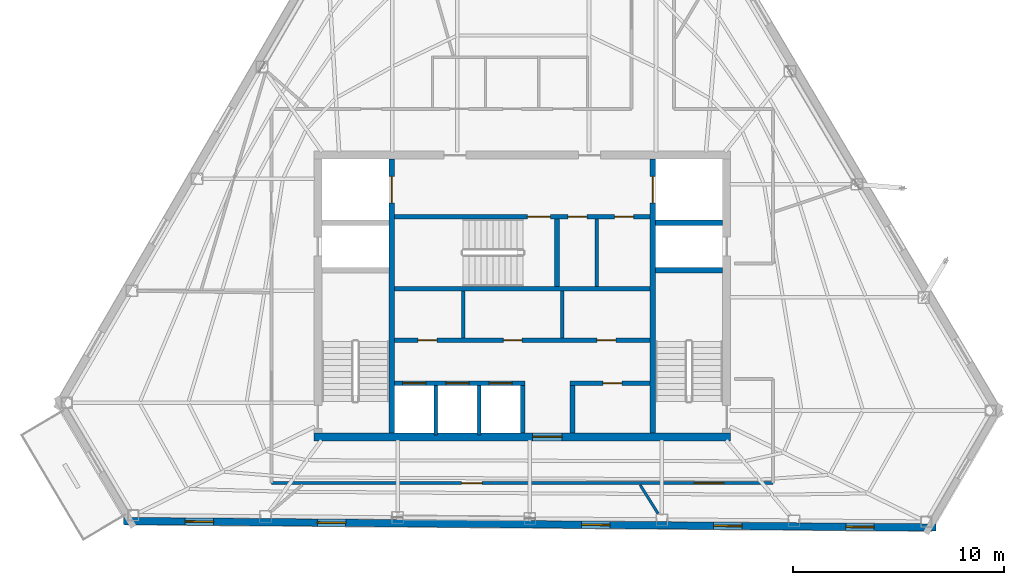
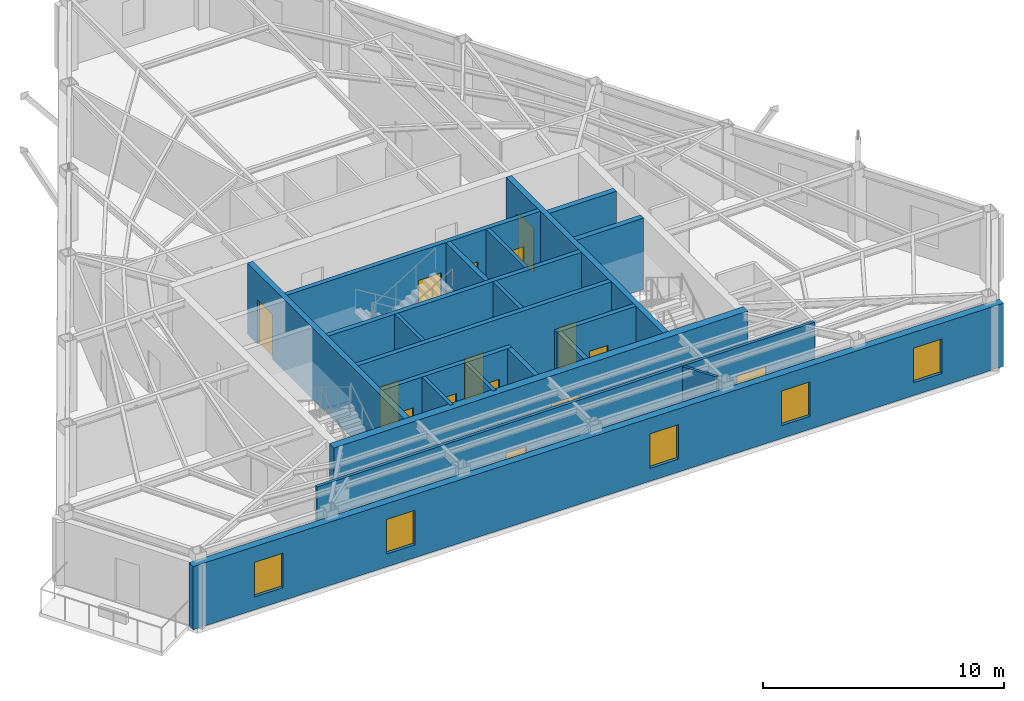
# One storey, part 7 of 10: 21 walls, 15 doors, 5 windows, 20 openings.
"""IFC4 building model written with IfcOpenShell, lengths in metres."""

from ifc_helpers import new_model, si_unit, direction, frame, frame_2d, origin, place, context, subcontext, project, spatial, rectangle, extrude, material, layer, layer_set, type_object, element, fill, save


model = new_model("IFC4")

# Units and contexts
model_context = context("Model", 3, precision=1e-05, world=origin(), true_north=direction((0.0, 1.0)))
body_context = subcontext(model_context, "Body", "Model", "MODEL_VIEW")
ifc_project = project(units=[si_unit("LENGTHUNIT", "METRE"), si_unit("AREAUNIT", "SQUARE_METRE"), si_unit("VOLUMEUNIT", "CUBIC_METRE"), si_unit("PLANEANGLEUNIT", "RADIAN"), si_unit("MASSUNIT", "GRAM", prefix="KILO")], contexts=[model_context])

# Site, building, storey
site_placement = place(None, origin())
site = spatial("IfcSite", under=ifc_project, at=site_placement, CompositionType="ELEMENT")
building_placement = place(site_placement, origin())
building = spatial("IfcBuilding", under=site, at=building_placement, Name="Kavelnor Concourse Tower", CompositionType="ELEMENT")
storey_placement = place(building_placement, frame((0.0, 0.0, 266.449951171875)))
storey = spatial("IfcBuildingStorey", under=building, at=storey_placement, Name="L67", CompositionType="ELEMENT", Elevation=266.449951171875)

# Wall, opening, door
ifc_material_1 = material(Name="Concrete C50/60", Category="concrete")
ifc_layer_1 = layer(ifc_material_1, 0.3798828125, Name="Concrete C50/60")
ifc_layer_set_1 = layer_set([ifc_layer_1], Name="Concrete C50/60")
wall_type_1 = type_object("IfcWallType", Name="WL-CORE-Z4-380", PredefinedType="SOLIDWALL", material=ifc_layer_set_1)
wall_1_placement = place(storey_placement, frame((28.10009765625, 9.409912109375, 0.0), z_axis=(0.0, 0.0, 1.0), x_axis=(1.0, 0.0, 0.0)))
wall_1 = element("IfcWall", 1, at=wall_1_placement, inside=storey, type_object=wall_type_1, Name="L67 Central Core South Shear Wall", PredefinedType="SOLIDWALL", context=body_context, shape_type="SweptSolid", body=[
    extrude(rectangle(XDim=19.7998046875, YDim=0.3798828125, at=frame_2d((9.89990234375, 0.0))), origin(), (0.0, 0.0, 1.0), 3.610107421875),
])
opening_1_placement = place(wall_1_placement, frame((10.39990234375, 0.0, 0.0)))
opening_1 = element("IfcOpeningElement", 2, at=opening_1_placement, cuts=wall_1, Name="Opening SD-140", PredefinedType="OPENING", context=body_context, shape_type="SweptSolid", body=[
    extrude(rectangle(XDim=1.39990234375, YDim=2.199951171875, at=frame_2d((0.699951171875, 1.10009765625))), frame((0.0, 0.199951171875, 0.0), z_axis=(0.0, -1.0, 0.0), x_axis=(1.0, 0.0, 0.0)), (0.0, 0.0, 1.0), 0.39990234375),
])
ifc_material_2 = material(Name="Solid-core hardwood timber", Category="wood")
door_type_1 = type_object("IfcDoorType", Name="DR-SUITE-ENTRY-1400", OperationType="NOTDEFINED", PredefinedType="DOOR", material=ifc_material_2)
door_1_placement = place(opening_1_placement, origin())
door_1 = element("IfcDoor", 3, at=door_1_placement, inside=storey, type_object=door_type_1, Name="L67 Passenger Lift Lobby Entry Door", OperationType="SINGLE_SWING_RIGHT", OverallHeight=2.199951171875, OverallWidth=1.39990234375, PredefinedType="DOOR", context=body_context, shape_type="SweptSolid", body=[
    extrude(rectangle(XDim=1.39990234375, YDim=2.199951171875, at=frame_2d((0.699951171875, 1.10009765625))), frame((0.0, 0.02490234375, 0.0), z_axis=(0.0, -1.0, 0.0), x_axis=(1.0, 0.0, 0.0)), (0.0, 0.0, 1.0), 0.050048828125),
])
fill(opening_1, door_1)

# Wall, openings, windows
ifc_material_3 = material(Name="Red-ochre clay face brick masonry", Category="masonry")
ifc_layer_2 = layer(ifc_material_3, 0.35009765625, Name="Red-ochre clay face brick masonry")
ifc_layer_set_2 = layer_set([ifc_layer_2], Name="Red-ochre clay face brick masonry")
wall_type_2 = type_object("IfcWallType", Name="WL-EXT-RED-BRICK-PIER-350", PredefinedType="STANDARD", material=ifc_layer_set_2)
wall_2_placement = place(storey_placement, frame((57.657470703125, 5.1025390625, 0.0), z_axis=(0.0, 0.0, 1.0), x_axis=(-0.999968086085, 0.007989168371, 0.0)))
wall_2 = element("IfcWall", 4, at=wall_2_placement, inside=storey, type_object=wall_type_2, Name="L67 Exterior Brick Facade Wall E3", PredefinedType="STANDARD", context=body_context, shape_type="SweptSolid", body=[
    extrude(rectangle(XDim=38.595947265625, YDim=0.35009765625, at=frame_2d((19.2978515625, 0.0))), origin(), (0.0, 0.0, 1.0), 3.196044921875),
])
opening_2_placement = place(wall_2_placement, frame((34.312744140625, 0.0, 0.64990234375)))
opening_2 = element("IfcOpeningElement", 5, at=opening_2_placement, cuts=wall_2, Name="Opening W-04", PredefinedType="OPENING", context=body_context, shape_type="SweptSolid", body=[
    extrude(rectangle(XDim=1.35009765625, YDim=1.75, at=frame_2d((0.675048828125, 0.875))), frame((0.0, 0.18505859375, 0.0), z_axis=(0.0, -1.0, 0.0), x_axis=(1.0, 0.0, 0.0)), (0.0, 0.0, 1.0), 0.3701171875),
])
opening_3_placement = place(wall_2_placement, frame((28.038330078125, 0.0, 0.64990234375)))
opening_3 = element("IfcOpeningElement", 6, at=opening_3_placement, cuts=wall_2, Name="Opening W-04", PredefinedType="OPENING", context=body_context, shape_type="SweptSolid", body=[
    extrude(rectangle(XDim=1.35009765625, YDim=1.75, at=frame_2d((0.675048828125, 0.875))), frame((0.0, 0.18505859375, 0.0), z_axis=(0.0, -1.0, 0.0), x_axis=(1.0, 0.0, 0.0)), (0.0, 0.0, 1.0), 0.3701171875),
])
opening_4_placement = place(wall_2_placement, frame((15.489501953125, 0.0, 0.64990234375)))
opening_4 = element("IfcOpeningElement", 7, at=opening_4_placement, cuts=wall_2, Name="Opening W-04", PredefinedType="OPENING", context=body_context, shape_type="SweptSolid", body=[
    extrude(rectangle(XDim=1.35009765625, YDim=1.75, at=frame_2d((0.675048828125, 0.875))), frame((0.0, 0.18505859375, 0.0), z_axis=(0.0, -1.0, 0.0), x_axis=(1.0, 0.0, 0.0)), (0.0, 0.0, 1.0), 0.3701171875),
])
opening_5_placement = place(wall_2_placement, frame((9.21533203125, 0.0, 0.64990234375)))
opening_5 = element("IfcOpeningElement", 8, at=opening_5_placement, cuts=wall_2, Name="Opening W-04", PredefinedType="OPENING", context=body_context, shape_type="SweptSolid", body=[
    extrude(rectangle(XDim=1.35009765625, YDim=1.75, at=frame_2d((0.675048828125, 0.875))), frame((0.0, 0.18505859375, 0.0), z_axis=(0.0, -1.0, 0.0), x_axis=(1.0, 0.0, 0.0)), (0.0, 0.0, 1.0), 0.3701171875),
])
opening_6_placement = place(wall_2_placement, frame((2.94091796875, 0.0, 0.64990234375)))
opening_6 = element("IfcOpeningElement", 9, at=opening_6_placement, cuts=wall_2, Name="Opening W-04", PredefinedType="OPENING", context=body_context, shape_type="SweptSolid", body=[
    extrude(rectangle(XDim=1.35009765625, YDim=1.75, at=frame_2d((0.675048828125, 0.875))), frame((0.0, 0.18505859375, 0.0), z_axis=(0.0, -1.0, 0.0), x_axis=(1.0, 0.0, 0.0)), (0.0, 0.0, 1.0), 0.3701171875),
])
ifc_material_4 = material(Name="Double low-E argon insulated glazing", Category="glass")
window_type = type_object("IfcWindowType", Name="WIN-PIER-Z4-1350", PartitioningType="SINGLE_PANEL", PredefinedType="WINDOW", material=ifc_material_4)
window_1_placement = place(opening_2_placement, origin())
window_1 = element("IfcWindow", 10, at=window_1_placement, inside=storey, type_object=window_type, Name="L67 Deep-Set Brick Pier Window F1-B0", OverallHeight=1.75, OverallWidth=1.35009765625, PartitioningType="SINGLE_PANEL", PredefinedType="WINDOW", context=body_context, shape_type="SweptSolid", body=[
    extrude(rectangle(XDim=1.35009765625, YDim=1.75, at=frame_2d((0.675048828125, 0.875))), frame((0.0, 0.030029296875, 0.0), z_axis=(0.0, -1.0, 0.0), x_axis=(1.0, 0.0, 0.0)), (0.0, 0.0, 1.0), 0.06005859375),
])
fill(opening_2, window_1)
window_2_placement = place(opening_3_placement, origin())
window_2 = element("IfcWindow", 11, at=window_2_placement, inside=storey, type_object=window_type, Name="L67 Deep-Set Brick Pier Window F1-B1", OverallHeight=1.75, OverallWidth=1.35009765625, PartitioningType="SINGLE_PANEL", PredefinedType="WINDOW", context=body_context, shape_type="SweptSolid", body=[
    extrude(rectangle(XDim=1.35009765625, YDim=1.75, at=frame_2d((0.675048828125, 0.875))), frame((0.0, 0.030029296875, 0.0), z_axis=(0.0, -1.0, 0.0), x_axis=(1.0, 0.0, 0.0)), (0.0, 0.0, 1.0), 0.06005859375),
])
fill(opening_3, window_2)
window_3_placement = place(opening_4_placement, origin())
window_3 = element("IfcWindow", 12, at=window_3_placement, inside=storey, type_object=window_type, Name="L67 Deep-Set Brick Pier Window F1-B3", OverallHeight=1.75, OverallWidth=1.35009765625, PartitioningType="SINGLE_PANEL", PredefinedType="WINDOW", context=body_context, shape_type="SweptSolid", body=[
    extrude(rectangle(XDim=1.35009765625, YDim=1.75, at=frame_2d((0.675048828125, 0.875))), frame((0.0, 0.030029296875, 0.0), z_axis=(0.0, -1.0, 0.0), x_axis=(1.0, 0.0, 0.0)), (0.0, 0.0, 1.0), 0.06005859375),
])
fill(opening_4, window_3)
window_4_placement = place(opening_5_placement, origin())
window_4 = element("IfcWindow", 13, at=window_4_placement, inside=storey, type_object=window_type, Name="L67 Deep-Set Brick Pier Window F1-B4", OverallHeight=1.75, OverallWidth=1.35009765625, PartitioningType="SINGLE_PANEL", PredefinedType="WINDOW", context=body_context, shape_type="SweptSolid", body=[
    extrude(rectangle(XDim=1.35009765625, YDim=1.75, at=frame_2d((0.675048828125, 0.875))), frame((0.0, 0.030029296875, 0.0), z_axis=(0.0, -1.0, 0.0), x_axis=(1.0, 0.0, 0.0)), (0.0, 0.0, 1.0), 0.06005859375),
])
fill(opening_5, window_4)
window_5_placement = place(opening_6_placement, origin())
window_5 = element("IfcWindow", 14, at=window_5_placement, inside=storey, type_object=window_type, Name="L67 Deep-Set Brick Pier Window F1-B5", OverallHeight=1.75, OverallWidth=1.35009765625, PartitioningType="SINGLE_PANEL", PredefinedType="WINDOW", context=body_context, shape_type="SweptSolid", body=[
    extrude(rectangle(XDim=1.35009765625, YDim=1.75, at=frame_2d((0.675048828125, 0.875))), frame((0.0, 0.030029296875, 0.0), z_axis=(0.0, -1.0, 0.0), x_axis=(1.0, 0.0, 0.0)), (0.0, 0.0, 1.0), 0.06005859375),
])
fill(opening_6, window_5)

# Wall, openings, doors
ifc_material_5 = material(Name="Gypsum plasterboard on light-gauge steel studs", Category="steel")
ifc_layer_3 = layer(ifc_material_5, 0.14501953125, Name="Gypsum plasterboard on light-gauge steel studs")
ifc_layer_set_3 = layer_set([ifc_layer_3], Name="Gypsum plasterboard on light-gauge steel studs")
wall_type_3 = type_object("IfcWallType", Name="WL-INT-CORR-145", PredefinedType="PARTITIONING", material=ifc_layer_set_3)
wall_3_placement = place(storey_placement, frame((49.909912109375, 7.2099609375, 0.0), z_axis=(0.0, 0.0, 1.0), x_axis=(-1.0, 0.0, 0.0)))
wall_3 = element("IfcWall", 15, at=wall_3_placement, inside=storey, type_object=wall_type_3, Name="L67 Corridor Wall WL-L67-CR-09", PredefinedType="PARTITIONING", context=body_context, shape_type="SweptSolid", body=[
    extrude(rectangle(XDim=23.81982421875, YDim=0.14501953125, at=frame_2d((11.909912109375, 0.0))), origin(), (0.0, 0.0, 1.0), 3.610107421875),
])
opening_7_placement = place(wall_3_placement, frame((13.810302734375, 0.0, 0.0)))
opening_7 = element("IfcOpeningElement", 16, at=opening_7_placement, cuts=wall_3, Name="Opening OD-098", PredefinedType="OPENING", context=body_context, shape_type="SweptSolid", body=[
    extrude(rectangle(XDim=0.97998046875, YDim=2.14990234375, at=frame_2d((0.489990234375, 1.074951171875))), frame((0.0, 0.08251953125, 0.0), z_axis=(0.0, -1.0, 0.0), x_axis=(1.0, 0.0, 0.0)), (0.0, 0.0, 1.0), 0.1650390625),
])
opening_8_placement = place(wall_3_placement, frame((2.3369140625, 0.0, 0.0)))
opening_8 = element("IfcOpeningElement", 17, at=opening_8_placement, cuts=wall_3, Name="Opening SD-140", PredefinedType="OPENING", context=body_context, shape_type="SweptSolid", body=[
    extrude(rectangle(XDim=1.39990234375, YDim=2.199951171875, at=frame_2d((0.699951171875, 1.10009765625))), frame((0.0, 0.08251953125, 0.0), z_axis=(0.0, -1.0, 0.0), x_axis=(1.0, 0.0, 0.0)), (0.0, 0.0, 1.0), 0.1650390625),
])
door_type_2 = type_object("IfcDoorType", Name="DR-OFFICE-980", OperationType="NOTDEFINED", PredefinedType="DOOR", material=ifc_material_2)
door_2_placement = place(opening_7_placement, origin())
door_2 = element("IfcDoor", 18, at=door_2_placement, inside=storey, type_object=door_type_2, Name="L67 Workplace Open Office 07 Door", OperationType="SINGLE_SWING_LEFT", OverallHeight=2.14990234375, OverallWidth=0.97998046875, PredefinedType="DOOR", context=body_context, shape_type="SweptSolid", body=[
    extrude(rectangle(XDim=0.97998046875, YDim=2.14990234375, at=frame_2d((0.489990234375, 1.074951171875))), frame((0.0, 0.02490234375, 0.0), z_axis=(0.0, -1.0, 0.0), x_axis=(1.0, 0.0, 0.0)), (0.0, 0.0, 1.0), 0.050048828125),
])
fill(opening_7, door_2)
door_3_placement = place(opening_8_placement, origin())
door_3 = element("IfcDoor", 19, at=door_3_placement, inside=storey, type_object=door_type_1, Name="L67 Building Staff Breakroom 08 Door", OperationType="SINGLE_SWING_RIGHT", OverallHeight=2.199951171875, OverallWidth=1.39990234375, PredefinedType="DOOR", context=body_context, shape_type="SweptSolid", body=[
    extrude(rectangle(XDim=1.39990234375, YDim=2.199951171875, at=frame_2d((0.699951171875, 1.10009765625))), frame((0.0, 0.02490234375, 0.0), z_axis=(0.0, -1.0, 0.0), x_axis=(1.0, 0.0, 0.0)), (0.0, 0.0, 1.0), 0.050048828125),
])
fill(opening_8, door_3)

# Walls
ifc_layer_4 = layer(ifc_material_5, 0.1650390625, Name="Gypsum plasterboard on light-gauge steel studs")
ifc_layer_set_4 = layer_set([ifc_layer_4], Name="Gypsum plasterboard on light-gauge steel studs")
wall_type_4 = type_object("IfcWallType", Name="WL-INT-FIRE-165", PredefinedType="PARTITIONING", material=ifc_layer_set_4)
for number, where, z_axis, x_axis, name in (
    (20, (33.89990234375, 9.489990234375, 0.0), (0.0, 0.0, 1.0), (0.0, 1.0, 0.0), "L67 Lift Shaft Divider LP7"),
    (21, (35.949951171875, 9.489990234375, 0.0), (0.0, 0.0, 1.0), (0.0, 1.0, 0.0), "L67 Lift Shaft Divider LP8"),
):
    element("IfcWall", number, at=place(storey_placement, frame(where, z_axis=z_axis, x_axis=x_axis)), inside=storey, type_object=wall_type_4, Name=name, PredefinedType="PARTITIONING", context=body_context, shape_type="SweptSolid", body=[
        extrude(rectangle(XDim=2.35009765625, YDim=0.1650390625, at=frame_2d((1.175048828125, 0.0))), origin(), (0.0, 0.0, 1.0), 3.610107421875),
    ])
for number, where, z_axis, x_axis, name in (
    (22, (35.199951171875, 14.10009765625, 0.0), (0.0, 0.0, 1.0), (0.0, 1.0, 0.0), "L67 Reclaimed Core Partition A"),
    (23, (39.89990234375, 14.10009765625, 0.0), (0.0, 0.0, 1.0), (0.0, 1.0, 0.0), "L67 Reclaimed Core Partition B"),
):
    element("IfcWall", number, at=place(storey_placement, frame(where, z_axis=z_axis, x_axis=x_axis)), inside=storey, type_object=wall_type_4, Name=name, PredefinedType="PARTITIONING", context=body_context, shape_type="SweptSolid", body=[
        extrude(rectangle(XDim=2.239990234375, YDim=0.1650390625, at=frame_2d((1.1201171875, 0.0))), origin(), (0.0, 0.0, 1.0), 3.610107421875),
    ])
wall_4_placement = place(storey_placement, frame((41.550048828125, 16.56005859375, 0.0), z_axis=(0.0, 0.0, 1.0), x_axis=(0.0, 1.0, 0.0)))
element("IfcWall", 24, at=wall_4_placement, inside=storey, type_object=wall_type_4, Name="L67 Core North Support Divider", PredefinedType="PARTITIONING", context=body_context, shape_type="SweptSolid", body=[
    extrude(rectangle(XDim=3.199951171875, YDim=0.1650390625, at=frame_2d((1.60009765625, 0.0))), origin(), (0.0, 0.0, 1.0), 3.610107421875),
])
ifc_layer_5 = layer(ifc_material_5, 0.125, Name="Gypsum plasterboard on light-gauge steel studs")
ifc_layer_set_5 = layer_set([ifc_layer_5], Name="Gypsum plasterboard on light-gauge steel studs")
wall_type_5 = type_object("IfcWallType", Name="WL-INT-SUITE-125", PredefinedType="PARTITIONING", material=ifc_layer_set_5)
wall_5_placement = place(storey_placement, frame((43.6005859375, 7.12939453125, 0.0), z_axis=(0.0, 0.0, 1.0), x_axis=(0.529698851151, -0.848185785715, 0.0)))
element("IfcWall", 25, at=wall_5_placement, inside=storey, type_object=wall_type_5, Name="L67 Radial Suite Partition 07", PredefinedType="PARTITIONING", context=body_context, shape_type="SweptSolid", body=[
    extrude(rectangle(XDim=1.609130859375, YDim=0.125, at=frame_2d((0.8046875, 0.0))), origin(), (0.0, 0.0, 1.0), 3.610107421875),
])

# Wall, openings, doors
ifc_layer_6 = layer(ifc_material_1, 0.219970703125, Name="Concrete C50/60")
ifc_layer_set_6 = layer_set([ifc_layer_6], Name="Concrete C50/60")
wall_type_6 = type_object("IfcWallType", Name="WL-SHAFT-220", PredefinedType="SOLIDWALL", material=ifc_layer_set_6)
wall_6_placement = place(storey_placement, frame((31.93994140625, 19.8701171875, 0.0), z_axis=(0.0, 0.0, 1.0), x_axis=(1.0, 0.0, 0.0)))
wall_6 = element("IfcWall", 26, at=wall_6_placement, inside=storey, type_object=wall_type_6, Name="L67 Emergency Lift Lobby South Wall", PredefinedType="SOLIDWALL", context=body_context, shape_type="SweptSolid", body=[
    extrude(rectangle(XDim=12.1201171875, YDim=0.219970703125, at=frame_2d((6.06005859375, 0.0))), origin(), (0.0, 0.0, 1.0), 3.610107421875),
])
opening_9_placement = place(wall_6_placement, frame((6.300048828125, 0.0, 0.0)))
opening_9 = element("IfcOpeningElement", 27, at=opening_9_placement, cuts=wall_6, Name="Opening FD-110", PredefinedType="OPENING", context=body_context, shape_type="SweptSolid", body=[
    extrude(rectangle(XDim=1.10009765625, YDim=2.14990234375, at=frame_2d((0.550048828125, 1.074951171875))), frame((0.0, 0.1201171875, 0.0), z_axis=(0.0, -1.0, 0.0), x_axis=(1.0, 0.0, 0.0)), (0.0, 0.0, 1.0), 0.239990234375),
])
opening_10_placement = place(wall_6_placement, frame((8.22998046875, 0.0, 0.0)))
opening_10 = element("IfcOpeningElement", 28, at=opening_10_placement, cuts=wall_6, Name="Opening FD-090", PredefinedType="OPENING", context=body_context, shape_type="SweptSolid", body=[
    extrude(rectangle(XDim=0.89990234375, YDim=2.10009765625, at=frame_2d((0.449951171875, 1.050048828125))), frame((0.0, 0.1201171875, 0.0), z_axis=(0.0, -1.0, 0.0), x_axis=(1.0, 0.0, 0.0)), (0.0, 0.0, 1.0), 0.239990234375),
])
opening_11_placement = place(wall_6_placement, frame((10.449951171875, 0.0, 0.0)))
opening_11 = element("IfcOpeningElement", 29, at=opening_11_placement, cuts=wall_6, Name="Opening FD-090", PredefinedType="OPENING", context=body_context, shape_type="SweptSolid", body=[
    extrude(rectangle(XDim=0.89990234375, YDim=2.10009765625, at=frame_2d((0.449951171875, 1.050048828125))), frame((0.0, 0.1201171875, 0.0), z_axis=(0.0, -1.0, 0.0), x_axis=(1.0, 0.0, 0.0)), (0.0, 0.0, 1.0), 0.239990234375),
])
ifc_material_6 = material(Name="Steel Grade 350", Category="steel")
door_type_3 = type_object("IfcDoorType", Name="DR-RISER-FIRE-900", OperationType="NOTDEFINED", PredefinedType="DOOR", material=ifc_material_6)
door_4_placement = place(opening_10_placement, origin())
door_4 = element("IfcDoor", 30, at=door_4_placement, inside=storey, type_object=door_type_3, Name="L67 Telecom Room Door", OperationType="SINGLE_SWING_LEFT", OverallHeight=2.10009765625, OverallWidth=0.89990234375, PredefinedType="DOOR", context=body_context, shape_type="SweptSolid", body=[
    extrude(rectangle(XDim=0.89990234375, YDim=2.10009765625, at=frame_2d((0.449951171875, 1.050048828125))), frame((0.0, 0.02490234375, 0.0), z_axis=(0.0, -1.0, 0.0), x_axis=(1.0, 0.0, 0.0)), (0.0, 0.0, 1.0), 0.050048828125),
])
fill(opening_10, door_4)
door_5_placement = place(opening_11_placement, origin())
door_5 = element("IfcDoor", 31, at=door_5_placement, inside=storey, type_object=door_type_3, Name="L67 Janitor Store Door", OperationType="SINGLE_SWING_RIGHT", OverallHeight=2.10009765625, OverallWidth=0.89990234375, PredefinedType="DOOR", context=body_context, shape_type="SweptSolid", body=[
    extrude(rectangle(XDim=0.89990234375, YDim=2.10009765625, at=frame_2d((0.449951171875, 1.050048828125))), frame((0.0, 0.02490234375, 0.0), z_axis=(0.0, -1.0, 0.0), x_axis=(1.0, 0.0, 0.0)), (0.0, 0.0, 1.0), 0.050048828125),
])
fill(opening_11, door_5)
door_type_4 = type_object("IfcDoorType", Name="DR-STAIR-FIRE-1100", OperationType="NOTDEFINED", PredefinedType="DOOR", material=ifc_material_6)
door_6_placement = place(opening_9_placement, origin())
door_6 = element("IfcDoor", 32, at=door_6_placement, inside=storey, type_object=door_type_4, Name="L67 Stair ST3 Fire Door", OperationType="SINGLE_SWING_LEFT", OverallHeight=2.14990234375, OverallWidth=1.10009765625, PredefinedType="DOOR", context=body_context, shape_type="SweptSolid", body=[
    extrude(rectangle(XDim=1.10009765625, YDim=2.14990234375, at=frame_2d((0.550048828125, 1.074951171875))), frame((0.0, 0.02490234375, 0.0), z_axis=(0.0, -1.0, 0.0), x_axis=(1.0, 0.0, 0.0)), (0.0, 0.0, 1.0), 0.050048828125),
])
fill(opening_9, door_6)

# Walls
wall_7_placement = place(storey_placement, frame((31.93994140625, 16.449951171875, 0.0), z_axis=(0.0, 0.0, 1.0), x_axis=(1.0, 0.0, 0.0)))
element("IfcWall", 33, at=wall_7_placement, inside=storey, type_object=wall_type_6, Name="L67 Stair ST3 South Core Wall", PredefinedType="SOLIDWALL", context=body_context, shape_type="SweptSolid", body=[
    extrude(rectangle(XDim=12.1201171875, YDim=0.219970703125, at=frame_2d((6.06005859375, 0.0))), origin(), (0.0, 0.0, 1.0), 3.610107421875),
])
wall_8_placement = place(storey_placement, frame((39.64990234375, 16.56005859375, 0.0), z_axis=(0.0, 0.0, 1.0), x_axis=(0.0, 1.0, 0.0)))
element("IfcWall", 34, at=wall_8_placement, inside=storey, type_object=wall_type_6, Name="L67 Stair ST3 East Core Wall", PredefinedType="SOLIDWALL", context=body_context, shape_type="SweptSolid", body=[
    extrude(rectangle(XDim=3.199951171875, YDim=0.219970703125, at=frame_2d((1.60009765625, 0.0))), origin(), (0.0, 0.0, 1.0), 3.610107421875),
])

# Wall, openings, doors
wall_9_placement = place(storey_placement, frame((31.93994140625, 13.989990234375, 0.0), z_axis=(0.0, 0.0, 1.0), x_axis=(1.0, 0.0, 0.0)))
wall_9 = element("IfcWall", 35, at=wall_9_placement, inside=storey, type_object=wall_type_6, Name="L67 North Lift Row Shaft Wall", PredefinedType="SOLIDWALL", context=body_context, shape_type="SweptSolid", body=[
    extrude(rectangle(XDim=12.1201171875, YDim=0.219970703125, at=frame_2d((6.06005859375, 0.0))), origin(), (0.0, 0.0, 1.0), 3.610107421875),
])
opening_12_placement = place(wall_9_placement, frame((1.110107421875, 0.0, 0.0)))
opening_12 = element("IfcOpeningElement", 36, at=opening_12_placement, cuts=wall_9, Name="Opening FD-090", PredefinedType="OPENING", context=body_context, shape_type="SweptSolid", body=[
    extrude(rectangle(XDim=0.89990234375, YDim=2.10009765625, at=frame_2d((0.449951171875, 1.050048828125))), frame((0.0, 0.1201171875, 0.0), z_axis=(0.0, -1.0, 0.0), x_axis=(1.0, 0.0, 0.0)), (0.0, 0.0, 1.0), 0.239990234375),
])
opening_13_placement = place(wall_9_placement, frame((5.159912109375, 0.0, 0.0)))
opening_13 = element("IfcOpeningElement", 37, at=opening_13_placement, cuts=wall_9, Name="Opening FD-090", PredefinedType="OPENING", context=body_context, shape_type="SweptSolid", body=[
    extrude(rectangle(XDim=0.89990234375, YDim=2.10009765625, at=frame_2d((0.449951171875, 1.050048828125))), frame((0.0, 0.1201171875, 0.0), z_axis=(0.0, -1.0, 0.0), x_axis=(1.0, 0.0, 0.0)), (0.0, 0.0, 1.0), 0.239990234375),
])
opening_14_placement = place(wall_9_placement, frame((9.610107421875, 0.0, 0.0)))
opening_14 = element("IfcOpeningElement", 38, at=opening_14_placement, cuts=wall_9, Name="Opening FD-090", PredefinedType="OPENING", context=body_context, shape_type="SweptSolid", body=[
    extrude(rectangle(XDim=0.89990234375, YDim=2.10009765625, at=frame_2d((0.449951171875, 1.050048828125))), frame((0.0, 0.1201171875, 0.0), z_axis=(0.0, -1.0, 0.0), x_axis=(1.0, 0.0, 0.0)), (0.0, 0.0, 1.0), 0.239990234375),
])
door_7_placement = place(opening_12_placement, origin())
door_7 = element("IfcDoor", 39, at=door_7_placement, inside=storey, type_object=door_type_3, Name="L67 Reclaimed Core Door A", OperationType="SINGLE_SWING_RIGHT", OverallHeight=2.10009765625, OverallWidth=0.89990234375, PredefinedType="DOOR", context=body_context, shape_type="SweptSolid", body=[
    extrude(rectangle(XDim=0.89990234375, YDim=2.10009765625, at=frame_2d((0.449951171875, 1.050048828125))), frame((0.0, 0.02490234375, 0.0), z_axis=(0.0, -1.0, 0.0), x_axis=(1.0, 0.0, 0.0)), (0.0, 0.0, 1.0), 0.050048828125),
])
fill(opening_12, door_7)
door_8_placement = place(opening_13_placement, origin())
door_8 = element("IfcDoor", 40, at=door_8_placement, inside=storey, type_object=door_type_3, Name="L67 Reclaimed Core Door B", OperationType="SINGLE_SWING_LEFT", OverallHeight=2.10009765625, OverallWidth=0.89990234375, PredefinedType="DOOR", context=body_context, shape_type="SweptSolid", body=[
    extrude(rectangle(XDim=0.89990234375, YDim=2.10009765625, at=frame_2d((0.449951171875, 1.050048828125))), frame((0.0, 0.02490234375, 0.0), z_axis=(0.0, -1.0, 0.0), x_axis=(1.0, 0.0, 0.0)), (0.0, 0.0, 1.0), 0.050048828125),
])
fill(opening_13, door_8)
door_9_placement = place(opening_14_placement, origin())
door_9 = element("IfcDoor", 41, at=door_9_placement, inside=storey, type_object=door_type_3, Name="L67 Reclaimed Core Door C", OperationType="SINGLE_SWING_RIGHT", OverallHeight=2.10009765625, OverallWidth=0.89990234375, PredefinedType="DOOR", context=body_context, shape_type="SweptSolid", body=[
    extrude(rectangle(XDim=0.89990234375, YDim=2.10009765625, at=frame_2d((0.449951171875, 1.050048828125))), frame((0.0, 0.02490234375, 0.0), z_axis=(0.0, -1.0, 0.0), x_axis=(1.0, 0.0, 0.0)), (0.0, 0.0, 1.0), 0.050048828125),
])
fill(opening_14, door_9)

wall_10_placement = place(storey_placement, frame((31.93994140625, 11.949951171875, 0.0), z_axis=(0.0, 0.0, 1.0), x_axis=(1.0, 0.0, 0.0)))
wall_10 = element("IfcWall", 42, at=wall_10_placement, inside=storey, type_object=wall_type_6, Name="L67 High-Rise Lift Bank North Wall", PredefinedType="SOLIDWALL", context=body_context, shape_type="SweptSolid", body=[
    extrude(rectangle(XDim=6.18994140625, YDim=0.219970703125, at=frame_2d((3.094970703125, 0.0))), origin(), (0.0, 0.0, 1.0), 3.610107421875),
])
opening_15_placement = place(wall_10_placement, frame((0.385009765625, 0.0, 0.0)))
opening_15 = element("IfcOpeningElement", 43, at=opening_15_placement, cuts=wall_10, Name="Opening LD-110", PredefinedType="OPENING", context=body_context, shape_type="SweptSolid", body=[
    extrude(rectangle(XDim=1.10009765625, YDim=2.199951171875, at=frame_2d((0.550048828125, 1.10009765625))), frame((0.0, 0.1201171875, 0.0), z_axis=(0.0, -1.0, 0.0), x_axis=(1.0, 0.0, 0.0)), (0.0, 0.0, 1.0), 0.239990234375),
])
opening_16_placement = place(wall_10_placement, frame((2.43505859375, 0.0, 0.0)))
opening_16 = element("IfcOpeningElement", 44, at=opening_16_placement, cuts=wall_10, Name="Opening LD-110", PredefinedType="OPENING", context=body_context, shape_type="SweptSolid", body=[
    extrude(rectangle(XDim=1.10009765625, YDim=2.199951171875, at=frame_2d((0.550048828125, 1.10009765625))), frame((0.0, 0.1201171875, 0.0), z_axis=(0.0, -1.0, 0.0), x_axis=(1.0, 0.0, 0.0)), (0.0, 0.0, 1.0), 0.239990234375),
])
opening_17_placement = place(wall_10_placement, frame((4.485107421875, 0.0, 0.0)))
opening_17 = element("IfcOpeningElement", 45, at=opening_17_placement, cuts=wall_10, Name="Opening LD-110", PredefinedType="OPENING", context=body_context, shape_type="SweptSolid", body=[
    extrude(rectangle(XDim=1.10009765625, YDim=2.199951171875, at=frame_2d((0.550048828125, 1.10009765625))), frame((0.0, 0.1201171875, 0.0), z_axis=(0.0, -1.0, 0.0), x_axis=(1.0, 0.0, 0.0)), (0.0, 0.0, 1.0), 0.239990234375),
])
door_type_5 = type_object("IfcDoorType", Name="DR-LIFT-SLIDING-1100", OperationType="NOTDEFINED", PredefinedType="DOOR", material=ifc_material_6)
door_10_placement = place(opening_15_placement, origin())
door_10 = element("IfcDoor", 46, at=door_10_placement, inside=storey, type_object=door_type_5, Name="L67 Lift LP7 Landing Door", OperationType="DOUBLE_DOOR_SLIDING", OverallHeight=2.199951171875, OverallWidth=1.10009765625, PredefinedType="DOOR", context=body_context, shape_type="SweptSolid", body=[
    extrude(rectangle(XDim=1.10009765625, YDim=2.199951171875, at=frame_2d((0.550048828125, 1.10009765625))), frame((0.0, 0.02490234375, 0.0), z_axis=(0.0, -1.0, 0.0), x_axis=(1.0, 0.0, 0.0)), (0.0, 0.0, 1.0), 0.050048828125),
])
fill(opening_15, door_10)
door_11_placement = place(opening_16_placement, origin())
door_11 = element("IfcDoor", 47, at=door_11_placement, inside=storey, type_object=door_type_5, Name="L67 Lift LP8 Landing Door", OperationType="DOUBLE_DOOR_SLIDING", OverallHeight=2.199951171875, OverallWidth=1.10009765625, PredefinedType="DOOR", context=body_context, shape_type="SweptSolid", body=[
    extrude(rectangle(XDim=1.10009765625, YDim=2.199951171875, at=frame_2d((0.550048828125, 1.10009765625))), frame((0.0, 0.02490234375, 0.0), z_axis=(0.0, -1.0, 0.0), x_axis=(1.0, 0.0, 0.0)), (0.0, 0.0, 1.0), 0.050048828125),
])
fill(opening_16, door_11)
door_12_placement = place(opening_17_placement, origin())
door_12 = element("IfcDoor", 48, at=door_12_placement, inside=storey, type_object=door_type_5, Name="L67 Lift LP9 Landing Door", OperationType="DOUBLE_DOOR_SLIDING", OverallHeight=2.199951171875, OverallWidth=1.10009765625, PredefinedType="DOOR", context=body_context, shape_type="SweptSolid", body=[
    extrude(rectangle(XDim=1.10009765625, YDim=2.199951171875, at=frame_2d((0.550048828125, 1.10009765625))), frame((0.0, 0.02490234375, 0.0), z_axis=(0.0, -1.0, 0.0), x_axis=(1.0, 0.0, 0.0)), (0.0, 0.0, 1.0), 0.050048828125),
])
fill(opening_17, door_12)

# Wall, opening, door
wall_11_placement = place(storey_placement, frame((40.280029296875, 11.949951171875, 0.0), z_axis=(0.0, 0.0, 1.0), x_axis=(1.0, 0.0, 0.0)))
wall_11 = element("IfcWall", 49, at=wall_11_placement, inside=storey, type_object=wall_type_6, Name="L67 Core South Support North Wall", PredefinedType="SOLIDWALL", context=body_context, shape_type="SweptSolid", body=[
    extrude(rectangle(XDim=3.780029296875, YDim=0.219970703125, at=frame_2d((1.89013671875, 0.0))), origin(), (0.0, 0.0, 1.0), 3.610107421875),
])
opening_18_placement = place(wall_11_placement, frame((1.550048828125, 0.0, 0.0)))
opening_18 = element("IfcOpeningElement", 50, at=opening_18_placement, cuts=wall_11, Name="Opening FD-090", PredefinedType="OPENING", context=body_context, shape_type="SweptSolid", body=[
    extrude(rectangle(XDim=0.89990234375, YDim=2.10009765625, at=frame_2d((0.449951171875, 1.050048828125))), frame((0.0, 0.1201171875, 0.0), z_axis=(0.0, -1.0, 0.0), x_axis=(1.0, 0.0, 0.0)), (0.0, 0.0, 1.0), 0.239990234375),
])
door_13_placement = place(opening_18_placement, origin())
door_13 = element("IfcDoor", 51, at=door_13_placement, inside=storey, type_object=door_type_3, Name="L67 BMS Metering Door", OperationType="SINGLE_SWING_RIGHT", OverallHeight=2.10009765625, OverallWidth=0.89990234375, PredefinedType="DOOR", context=body_context, shape_type="SweptSolid", body=[
    extrude(rectangle(XDim=0.89990234375, YDim=2.10009765625, at=frame_2d((0.449951171875, 1.050048828125))), frame((0.0, 0.02490234375, 0.0), z_axis=(0.0, -1.0, 0.0), x_axis=(1.0, 0.0, 0.0)), (0.0, 0.0, 1.0), 0.050048828125),
])
fill(opening_18, door_13)

# Walls
for number, where, z_axis, x_axis, name in (
    (52, (38.02001953125, 9.60009765625, 0.0), (0.0, 0.0, 1.0), (0.0, 1.0, 0.0), "L67 Lift Lobby Throat West Wall"),
    (53, (40.389892578125, 9.60009765625, 0.0), (0.0, 0.0, 1.0), (0.0, 1.0, 0.0), "L67 Lift Lobby Throat East Wall"),
):
    element("IfcWall", number, at=place(storey_placement, frame(where, z_axis=z_axis, x_axis=x_axis)), inside=storey, type_object=wall_type_6, Name=name, PredefinedType="SOLIDWALL", context=body_context, shape_type="SweptSolid", body=[
        extrude(rectangle(XDim=2.239990234375, YDim=0.219970703125, at=frame_2d((1.1201171875, 0.0))), origin(), (0.0, 0.0, 1.0), 3.610107421875),
    ])

# Wall, opening, door
ifc_layer_7 = layer(ifc_material_1, 0.260009765625, Name="Concrete C50/60")
ifc_layer_set_7 = layer_set([ifc_layer_7], Name="Concrete C50/60")
wall_type_7 = type_object("IfcWallType", Name="WL-SHAFT-260", PredefinedType="SHEAR", material=ifc_layer_set_7)
wall_12_placement = place(storey_placement, frame((31.81005859375, 9.60009765625, 0.0), z_axis=(0.0, 0.0, 1.0), x_axis=(0.0, 1.0, 0.0)))
wall_12 = element("IfcWall", 54, at=wall_12_placement, inside=storey, type_object=wall_type_7, Name="L67 Core West Wing Shear Wall", PredefinedType="SHEAR", context=body_context, shape_type="SweptSolid", body=[
    extrude(rectangle(XDim=13.0, YDim=0.260009765625, at=frame_2d((6.5, 0.0))), origin(), (0.0, 0.0, 1.0), 3.610107421875),
])
opening_19_placement = place(wall_12_placement, frame((10.925048828125, 0.0, 0.0)))
opening_19 = element("IfcOpeningElement", 55, at=opening_19_placement, cuts=wall_12, Name="Opening LD-125", PredefinedType="OPENING", context=body_context, shape_type="SweptSolid", body=[
    extrude(rectangle(XDim=1.25, YDim=2.25, at=frame_2d((0.625, 1.125))), frame((0.0, 0.14013671875, 0.0), z_axis=(0.0, -1.0, 0.0), x_axis=(1.0, 0.0, 0.0)), (0.0, 0.0, 1.0), 0.280029296875),
])
door_type_6 = type_object("IfcDoorType", Name="DR-LIFT-SLIDING-1250", OperationType="NOTDEFINED", PredefinedType="DOOR", material=ifc_material_6)
door_14_placement = place(opening_19_placement, origin())
door_14 = element("IfcDoor", 56, at=door_14_placement, inside=storey, type_object=door_type_6, Name="L67 Emergency Lift FL1 Landing Door", OperationType="DOUBLE_DOOR_SLIDING", OverallHeight=2.25, OverallWidth=1.25, PredefinedType="DOOR", context=body_context, shape_type="SweptSolid", body=[
    extrude(rectangle(XDim=1.25, YDim=2.25, at=frame_2d((0.625, 1.125))), frame((0.0, 0.02490234375, 0.0), z_axis=(0.0, -1.0, 0.0), x_axis=(1.0, 0.0, 0.0)), (0.0, 0.0, 1.0), 0.050048828125),
])
fill(opening_19, door_14)

wall_13_placement = place(storey_placement, frame((44.18994140625, 9.60009765625, 0.0), z_axis=(0.0, 0.0, 1.0), x_axis=(0.0, 1.0, 0.0)))
wall_13 = element("IfcWall", 57, at=wall_13_placement, inside=storey, type_object=wall_type_7, Name="L67 Core East Wing Shear Wall", PredefinedType="SHEAR", context=body_context, shape_type="SweptSolid", body=[
    extrude(rectangle(XDim=13.0, YDim=0.260009765625, at=frame_2d((6.5, 0.0))), origin(), (0.0, 0.0, 1.0), 3.610107421875),
])
opening_20_placement = place(wall_13_placement, frame((10.925048828125, 0.0, 0.0)))
opening_20 = element("IfcOpeningElement", 58, at=opening_20_placement, cuts=wall_13, Name="Opening LD-125", PredefinedType="OPENING", context=body_context, shape_type="SweptSolid", body=[
    extrude(rectangle(XDim=1.25, YDim=2.25, at=frame_2d((0.625, 1.125))), frame((0.0, 0.14013671875, 0.0), z_axis=(0.0, -1.0, 0.0), x_axis=(1.0, 0.0, 0.0)), (0.0, 0.0, 1.0), 0.280029296875),
])
door_15_placement = place(opening_20_placement, origin())
door_15 = element("IfcDoor", 59, at=door_15_placement, inside=storey, type_object=door_type_6, Name="L67 Emergency Lift FL2 Landing Door", OperationType="DOUBLE_DOOR_SLIDING", OverallHeight=2.25, OverallWidth=1.25, PredefinedType="DOOR", context=body_context, shape_type="SweptSolid", body=[
    extrude(rectangle(XDim=1.25, YDim=2.25, at=frame_2d((0.625, 1.125))), frame((0.0, 0.02490234375, 0.0), z_axis=(0.0, -1.0, 0.0), x_axis=(1.0, 0.0, 0.0)), (0.0, 0.0, 1.0), 0.050048828125),
])
fill(opening_20, door_15)

# Walls
for number, where, z_axis, x_axis, name in (
    (60, (44.320068359375, 17.330078125, 0.0), (0.0, 0.0, 1.0), (1.0, 0.0, 0.0), "L67 Stair ST2 North Shaft Wall"),
    (61, (44.320068359375, 19.570068359375, 0.0), (0.0, 0.0, 1.0), (1.0, 0.0, 0.0), "L67 Emergency Lift FL2 South Shaft Wall"),
):
    element("IfcWall", number, at=place(storey_placement, frame(where, z_axis=z_axis, x_axis=x_axis)), inside=storey, type_object=wall_type_7, Name=name, PredefinedType="SHEAR", context=body_context, shape_type="SweptSolid", body=[
        extrude(rectangle(XDim=3.199951171875, YDim=0.260009765625, at=frame_2d((1.60009765625, 0.0))), origin(), (0.0, 0.0, 1.0), 3.610107421875),
    ])

save(model, "model.ifc")
